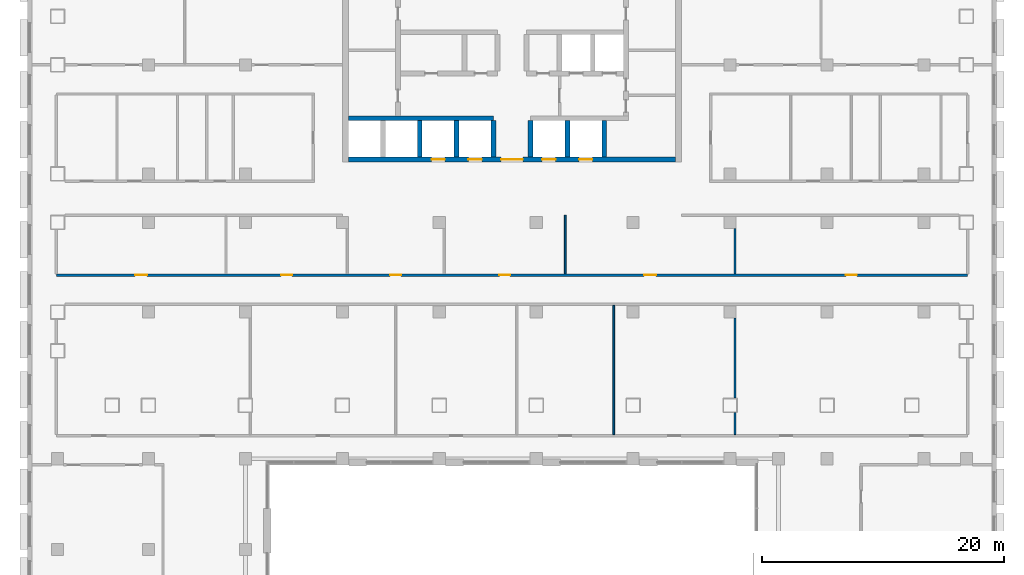
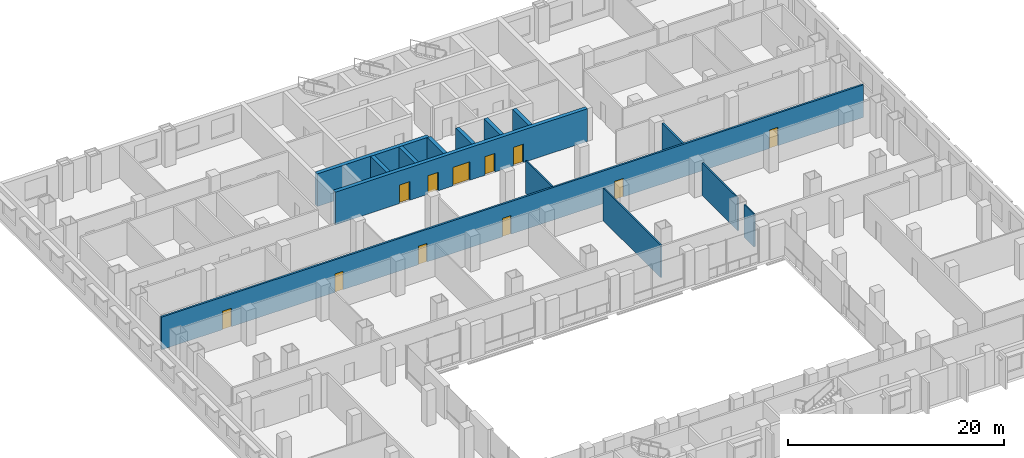
# One storey, part 13 of 25: 14 walls, 11 doors, 11 openings.
"""IFC4 building model written with IfcOpenShell, lengths in metres."""

from ifc_helpers import new_model, si_unit, direction, frame, frame_2d, origin, place, context, subcontext, project, spatial, rectangle, extrude, material, layer, layer_set, type_object, element, fill, save


model = new_model("IFC4")

# Units and contexts
model_context = context("Model", 3, precision=1e-05, world=origin(), true_north=direction((0.0, 1.0)))
body_context = subcontext(model_context, "Body", "Model", "MODEL_VIEW")
ifc_project = project(units=[si_unit("LENGTHUNIT", "METRE"), si_unit("AREAUNIT", "SQUARE_METRE"), si_unit("VOLUMEUNIT", "CUBIC_METRE"), si_unit("PLANEANGLEUNIT", "RADIAN"), si_unit("MASSUNIT", "GRAM", prefix="KILO")], contexts=[model_context])

# Site, building, storey
site_placement = place(None, origin())
site = spatial("IfcSite", under=ifc_project, at=site_placement, CompositionType="ELEMENT")
building_placement = place(site_placement, origin())
building = spatial("IfcBuilding", under=site, at=building_placement, Name="Vidyagriha Tower", CompositionType="ELEMENT")
storey_placement = place(building_placement, frame((0.0, 0.0, 10.0)))
storey = spatial("IfcBuildingStorey", under=building, at=storey_placement, Name="L02", CompositionType="ELEMENT", Elevation=10.0)

# Wall, openings, doors
ifc_material_1 = material(Name="Concrete C60/75", Category="concrete")
ifc_layer_1 = layer(ifc_material_1, 0.39990234375)
ifc_layer_set_1 = layer_set([ifc_layer_1], Name="Concrete C60/75")
wall_type_1 = type_object("IfcWallType", Name="Core shear wall 400 mm", PredefinedType="SHEAR", material=ifc_layer_set_1)
wall_1_placement = place(storey_placement, frame((-13.5, 3.199951171875, 0.0)))
wall_1 = element("IfcWall", 1, at=wall_1_placement, inside=storey, type_object=wall_type_1, Name="Core front wall", PredefinedType="SHEAR", context=body_context, shape_type="SweptSolid", body=[
    extrude(rectangle(XDim=27.0, YDim=0.39990234375, at=frame_2d((13.5, 0.0))), origin(), (0.0, 0.0, 1.0), 3.699951171875),
])
opening_1_placement = place(wall_1_placement, frame((6.861083984375, 0.0, 0.0)))
opening_1 = element("IfcOpeningElement", 2, at=opening_1_placement, cuts=wall_1, Name="Opening LD02-01", PredefinedType="OPENING", context=body_context, shape_type="SweptSolid", body=[
    extrude(rectangle(XDim=1.10009765625, YDim=2.10009765625, at=frame_2d((0.550048828125, 1.050048828125))), frame((0.0, 0.2099609375, 0.0), z_axis=(0.0, -1.0, 0.0), x_axis=(1.0, 0.0, 0.0)), (0.0, 0.0, 1.0), 0.419921875),
])
opening_2_placement = place(wall_1_placement, frame((9.905517578125, 0.0, 0.0)))
opening_2 = element("IfcOpeningElement", 3, at=opening_2_placement, cuts=wall_1, Name="Opening LD02-02", PredefinedType="OPENING", context=body_context, shape_type="SweptSolid", body=[
    extrude(rectangle(XDim=1.10009765625, YDim=2.10009765625, at=frame_2d((0.550048828125, 1.050048828125))), frame((0.0, 0.2099609375, 0.0), z_axis=(0.0, -1.0, 0.0), x_axis=(1.0, 0.0, 0.0)), (0.0, 0.0, 1.0), 0.419921875),
])
opening_3_placement = place(wall_1_placement, frame((15.994384765625, 0.0, 0.0)))
opening_3 = element("IfcOpeningElement", 4, at=opening_3_placement, cuts=wall_1, Name="Opening LD02-03", PredefinedType="OPENING", context=body_context, shape_type="SweptSolid", body=[
    extrude(rectangle(XDim=1.10009765625, YDim=2.10009765625, at=frame_2d((0.550048828125, 1.050048828125))), frame((0.0, 0.2099609375, 0.0), z_axis=(0.0, -1.0, 0.0), x_axis=(1.0, 0.0, 0.0)), (0.0, 0.0, 1.0), 0.419921875),
])
opening_4_placement = place(wall_1_placement, frame((19.038818359375, 0.0, 0.0)))
opening_4 = element("IfcOpeningElement", 5, at=opening_4_placement, cuts=wall_1, Name="Opening LD02-04", PredefinedType="OPENING", context=body_context, shape_type="SweptSolid", body=[
    extrude(rectangle(XDim=1.10009765625, YDim=2.10009765625, at=frame_2d((0.550048828125, 1.050048828125))), frame((0.0, 0.2099609375, 0.0), z_axis=(0.0, -1.0, 0.0), x_axis=(1.0, 0.0, 0.0)), (0.0, 0.0, 1.0), 0.419921875),
])
opening_5_placement = place(wall_1_placement, frame((12.60009765625, 0.0, 0.0)))
opening_5 = element("IfcOpeningElement", 6, at=opening_5_placement, cuts=wall_1, Name="Opening D02-01", PredefinedType="OPENING", context=body_context, shape_type="SweptSolid", body=[
    extrude(rectangle(XDim=1.800048828125, YDim=2.10009765625, at=frame_2d((0.89990234375, 1.050048828125))), frame((0.0, 0.2099609375, 0.0), z_axis=(0.0, -1.0, 0.0), x_axis=(1.0, 0.0, 0.0)), (0.0, 0.0, 1.0), 0.419921875),
])
ifc_material_2 = material(Name="Hollow metal door leaf")
door_type_1 = type_object("IfcDoorType", Name="Core lobby double door 1800 x 2100 mm EI 60", OperationType="NOTDEFINED", PredefinedType="DOOR", material=ifc_material_2)
door_1_placement = place(opening_5_placement, frame((1.800048828125, 0.0, 0.0), z_axis=(0.0, 0.0, 1.0), x_axis=(-1.0, 0.0, 0.0)))
door_1 = element("IfcDoor", 7, at=door_1_placement, inside=storey, type_object=door_type_1, Name="Core entrance door L02", OperationType="DOUBLE_DOOR_SINGLE_SWING", OverallHeight=2.10009765625, OverallWidth=1.800048828125, PredefinedType="DOOR", context=body_context, shape_type="SweptSolid", body=[
    extrude(rectangle(XDim=1.800048828125, YDim=2.10009765625, at=frame_2d((0.89990234375, 1.050048828125))), frame((0.0, 0.02490234375, 0.0), z_axis=(0.0, -1.0, 0.0), x_axis=(1.0, 0.0, 0.0)), (0.0, 0.0, 1.0), 0.050048828125),
])
fill(opening_5, door_1)
ifc_material_3 = material(Name="Stainless steel sliding door panel", Category="steel")
door_type_2 = type_object("IfcDoorType", Name="Lift landing door 1100 x 2100 mm EI 90", OperationType="NOTDEFINED", PredefinedType="DOOR", material=ifc_material_3)
door_2_placement = place(opening_1_placement, origin())
door_2 = element("IfcDoor", 8, at=door_2_placement, inside=storey, type_object=door_type_2, Name="Landing door LR1 L02", OperationType="SLIDING_TO_LEFT", OverallHeight=2.10009765625, OverallWidth=1.10009765625, PredefinedType="DOOR", context=body_context, shape_type="SweptSolid", body=[
    extrude(rectangle(XDim=1.10009765625, YDim=2.10009765625, at=frame_2d((0.550048828125, 1.050048828125))), frame((0.0, 0.02490234375, 0.0), z_axis=(0.0, -1.0, 0.0), x_axis=(1.0, 0.0, 0.0)), (0.0, 0.0, 1.0), 0.050048828125),
])
fill(opening_1, door_2)
door_3_placement = place(opening_2_placement, origin())
door_3 = element("IfcDoor", 9, at=door_3_placement, inside=storey, type_object=door_type_2, Name="Landing door LR2 L02", OperationType="SLIDING_TO_LEFT", OverallHeight=2.10009765625, OverallWidth=1.10009765625, PredefinedType="DOOR", context=body_context, shape_type="SweptSolid", body=[
    extrude(rectangle(XDim=1.10009765625, YDim=2.10009765625, at=frame_2d((0.550048828125, 1.050048828125))), frame((0.0, 0.02490234375, 0.0), z_axis=(0.0, -1.0, 0.0), x_axis=(1.0, 0.0, 0.0)), (0.0, 0.0, 1.0), 0.050048828125),
])
fill(opening_2, door_3)
door_4_placement = place(opening_3_placement, origin())
door_4 = element("IfcDoor", 10, at=door_4_placement, inside=storey, type_object=door_type_2, Name="Landing door LR3 L02", OperationType="SLIDING_TO_LEFT", OverallHeight=2.10009765625, OverallWidth=1.10009765625, PredefinedType="DOOR", context=body_context, shape_type="SweptSolid", body=[
    extrude(rectangle(XDim=1.10009765625, YDim=2.10009765625, at=frame_2d((0.550048828125, 1.050048828125))), frame((0.0, 0.02490234375, 0.0), z_axis=(0.0, -1.0, 0.0), x_axis=(1.0, 0.0, 0.0)), (0.0, 0.0, 1.0), 0.050048828125),
])
fill(opening_3, door_4)
door_5_placement = place(opening_4_placement, origin())
door_5 = element("IfcDoor", 11, at=door_5_placement, inside=storey, type_object=door_type_2, Name="Landing door LR4 L02", OperationType="SLIDING_TO_LEFT", OverallHeight=2.10009765625, OverallWidth=1.10009765625, PredefinedType="DOOR", context=body_context, shape_type="SweptSolid", body=[
    extrude(rectangle(XDim=1.10009765625, YDim=2.10009765625, at=frame_2d((0.550048828125, 1.050048828125))), frame((0.0, 0.02490234375, 0.0), z_axis=(0.0, -1.0, 0.0), x_axis=(1.0, 0.0, 0.0)), (0.0, 0.0, 1.0), 0.050048828125),
])
fill(opening_4, door_5)

# Walls
wall_2_placement = place(storey_placement, frame((-13.5, 6.60009765625, 0.0)))
element("IfcWall", 12, at=wall_2_placement, inside=storey, type_object=wall_type_1, Name="Core lobby south wall west", PredefinedType="SHEAR", context=body_context, shape_type="SweptSolid", body=[
    extrude(rectangle(XDim=11.977783203125, YDim=0.39990234375, at=frame_2d((5.98876953125, 0.0))), origin(), (0.0, 0.0, 1.0), 3.699951171875),
])
for number, where, z_axis, x_axis, name in (
    (13, (-7.611083984375, 3.39990234375, 0.0), (0.0, 0.0, 1.0), (0.0, 1.0, 0.0), "Core bay wall S2"),
    (14, (-4.566650390625, 3.39990234375, 0.0), (0.0, 0.0, 1.0), (0.0, 1.0, 0.0), "Core bay wall S3"),
    (15, (-1.522216796875, 3.39990234375, 0.0), (0.0, 0.0, 1.0), (0.0, 1.0, 0.0), "Core bay wall S4"),
    (16, (1.522216796875, 3.39990234375, 0.0), (0.0, 0.0, 1.0), (0.0, 1.0, 0.0), "Core bay wall S5"),
    (17, (4.566650390625, 3.39990234375, 0.0), (0.0, 0.0, 1.0), (0.0, 1.0, 0.0), "Core bay wall S6"),
    (18, (7.611083984375, 3.39990234375, 0.0), (0.0, 0.0, 1.0), (0.0, 1.0, 0.0), "Core bay wall S7"),
):
    element("IfcWall", number, at=place(storey_placement, frame(where, z_axis=z_axis, x_axis=x_axis)), inside=storey, type_object=wall_type_1, Name=name, PredefinedType="SHEAR", context=body_context, shape_type="SweptSolid", body=[
        extrude(rectangle(XDim=3.0, YDim=0.39990234375, at=frame_2d((1.5, 0.0))), origin(), (0.0, 0.0, 1.0), 3.699951171875),
    ])

# Wall, openings, doors
ifc_material_4 = material(Name="Fire rated gypsum board on light gauge framing")
ifc_layer_2 = layer(ifc_material_4, 0.199951171875)
ifc_layer_set_2 = layer_set([ifc_layer_2], Name="Fire rated gypsum board on light gauge framing")
wall_type_2 = type_object("IfcWallType", Name="Fire Rated Corridor Wall 200", PredefinedType="PARTITIONING", material=ifc_layer_set_2)
wall_3_placement = place(storey_placement, frame((-37.599853515625, -6.35009765625, 0.0)))
wall_3 = element("IfcWall", 19, at=wall_3_placement, inside=storey, type_object=wall_type_2, Name="L02 Fire Rated Corridor Wall 200 023", PredefinedType="PARTITIONING", context=body_context, shape_type="SweptSolid", body=[
    extrude(rectangle(XDim=75.19970703125, YDim=0.199951171875, at=frame_2d((37.599853515625, 0.0))), origin(), (0.0, 0.0, 1.0), 3.699951171875),
])
opening_6_placement = place(wall_3_placement, frame((6.5, 0.0, 0.0)))
opening_6 = element("IfcOpeningElement", 20, at=opening_6_placement, cuts=wall_3, Name="Opening D02-35", PredefinedType="OPENING", context=body_context, shape_type="SweptSolid", body=[
    extrude(rectangle(XDim=1.0, YDim=2.10009765625, at=frame_2d((0.5, 1.050048828125))), frame((0.0, 0.10986328125, 0.0), z_axis=(0.0, -1.0, 0.0), x_axis=(1.0, 0.0, 0.0)), (0.0, 0.0, 1.0), 0.219970703125),
])
opening_7_placement = place(wall_3_placement, frame((18.5498046875, 0.0, 0.0)))
opening_7 = element("IfcOpeningElement", 21, at=opening_7_placement, cuts=wall_3, Name="Opening D02-36", PredefinedType="OPENING", context=body_context, shape_type="SweptSolid", body=[
    extrude(rectangle(XDim=0.89990234375, YDim=2.10009765625, at=frame_2d((0.449951171875, 1.050048828125))), frame((0.0, 0.10986328125, 0.0), z_axis=(0.0, -1.0, 0.0), x_axis=(1.0, 0.0, 0.0)), (0.0, 0.0, 1.0), 0.219970703125),
])
opening_8_placement = place(wall_3_placement, frame((27.5498046875, 0.0, 0.0)))
opening_8 = element("IfcOpeningElement", 22, at=opening_8_placement, cuts=wall_3, Name="Opening D02-37", PredefinedType="OPENING", context=body_context, shape_type="SweptSolid", body=[
    extrude(rectangle(XDim=0.89990234375, YDim=2.10009765625, at=frame_2d((0.449951171875, 1.050048828125))), frame((0.0, 0.10986328125, 0.0), z_axis=(0.0, -1.0, 0.0), x_axis=(1.0, 0.0, 0.0)), (0.0, 0.0, 1.0), 0.219970703125),
])
opening_9_placement = place(wall_3_placement, frame((36.5498046875, 0.0, 0.0)))
opening_9 = element("IfcOpeningElement", 23, at=opening_9_placement, cuts=wall_3, Name="Opening D02-38", PredefinedType="OPENING", context=body_context, shape_type="SweptSolid", body=[
    extrude(rectangle(XDim=0.89990234375, YDim=2.10009765625, at=frame_2d((0.449951171875, 1.050048828125))), frame((0.0, 0.10986328125, 0.0), z_axis=(0.0, -1.0, 0.0), x_axis=(1.0, 0.0, 0.0)), (0.0, 0.0, 1.0), 0.219970703125),
])
opening_10_placement = place(wall_3_placement, frame((48.5, 0.0, 0.0)))
opening_10 = element("IfcOpeningElement", 24, at=opening_10_placement, cuts=wall_3, Name="Opening D02-39", PredefinedType="OPENING", context=body_context, shape_type="SweptSolid", body=[
    extrude(rectangle(XDim=1.0, YDim=2.10009765625, at=frame_2d((0.5, 1.050048828125))), frame((0.0, 0.10986328125, 0.0), z_axis=(0.0, -1.0, 0.0), x_axis=(1.0, 0.0, 0.0)), (0.0, 0.0, 1.0), 0.219970703125),
])
opening_11_placement = place(wall_3_placement, frame((65.14990234375, 0.0, 0.0)))
opening_11 = element("IfcOpeningElement", 25, at=opening_11_placement, cuts=wall_3, Name="Opening D02-40", PredefinedType="OPENING", context=body_context, shape_type="SweptSolid", body=[
    extrude(rectangle(XDim=0.89990234375, YDim=2.10009765625, at=frame_2d((0.449951171875, 1.050048828125))), frame((0.0, 0.10986328125, 0.0), z_axis=(0.0, -1.0, 0.0), x_axis=(1.0, 0.0, 0.0)), (0.0, 0.0, 1.0), 0.219970703125),
])
ifc_material_5 = material(Name="Steel fire door set", Category="steel")
door_type_3 = type_object("IfcDoorType", Name="Podium Door 1000x2100 EI 30", OperationType="NOTDEFINED", PredefinedType="DOOR", material=ifc_material_5)
door_6_placement = place(opening_6_placement, origin())
door_6 = element("IfcDoor", 26, at=door_6_placement, inside=storey, type_object=door_type_3, Name="L02 door D02-35", OperationType="SINGLE_SWING_LEFT", OverallHeight=2.10009765625, OverallWidth=1.0, PredefinedType="DOOR", context=body_context, shape_type="SweptSolid", body=[
    extrude(rectangle(XDim=1.0, YDim=2.10009765625, at=frame_2d((0.5, 1.050048828125))), frame((0.0, 0.02490234375, 0.0), z_axis=(0.0, -1.0, 0.0), x_axis=(1.0, 0.0, 0.0)), (0.0, 0.0, 1.0), 0.050048828125),
])
fill(opening_6, door_6)
door_7_placement = place(opening_10_placement, origin())
door_7 = element("IfcDoor", 27, at=door_7_placement, inside=storey, type_object=door_type_3, Name="L02 door D02-39", OperationType="SINGLE_SWING_RIGHT", OverallHeight=2.10009765625, OverallWidth=1.0, PredefinedType="DOOR", context=body_context, shape_type="SweptSolid", body=[
    extrude(rectangle(XDim=1.0, YDim=2.10009765625, at=frame_2d((0.5, 1.050048828125))), frame((0.0, 0.02490234375, 0.0), z_axis=(0.0, -1.0, 0.0), x_axis=(1.0, 0.0, 0.0)), (0.0, 0.0, 1.0), 0.050048828125),
])
fill(opening_10, door_7)
ifc_material_6 = material(Name="Steel fire door set", Category="steel")
door_type_4 = type_object("IfcDoorType", Name="Podium Door 900x2100 EI 30", OperationType="NOTDEFINED", PredefinedType="DOOR", material=ifc_material_6)
door_8_placement = place(opening_7_placement, origin())
door_8 = element("IfcDoor", 28, at=door_8_placement, inside=storey, type_object=door_type_4, Name="L02 door D02-36", OperationType="SINGLE_SWING_LEFT", OverallHeight=2.10009765625, OverallWidth=0.89990234375, PredefinedType="DOOR", context=body_context, shape_type="SweptSolid", body=[
    extrude(rectangle(XDim=0.89990234375, YDim=2.10009765625, at=frame_2d((0.449951171875, 1.050048828125))), frame((0.0, 0.02490234375, 0.0), z_axis=(0.0, -1.0, 0.0), x_axis=(1.0, 0.0, 0.0)), (0.0, 0.0, 1.0), 0.050048828125),
])
fill(opening_7, door_8)
door_9_placement = place(opening_8_placement, origin())
door_9 = element("IfcDoor", 29, at=door_9_placement, inside=storey, type_object=door_type_4, Name="L02 door D02-37", OperationType="SINGLE_SWING_LEFT", OverallHeight=2.10009765625, OverallWidth=0.89990234375, PredefinedType="DOOR", context=body_context, shape_type="SweptSolid", body=[
    extrude(rectangle(XDim=0.89990234375, YDim=2.10009765625, at=frame_2d((0.449951171875, 1.050048828125))), frame((0.0, 0.02490234375, 0.0), z_axis=(0.0, -1.0, 0.0), x_axis=(1.0, 0.0, 0.0)), (0.0, 0.0, 1.0), 0.050048828125),
])
fill(opening_8, door_9)
door_10_placement = place(opening_9_placement, origin())
door_10 = element("IfcDoor", 30, at=door_10_placement, inside=storey, type_object=door_type_4, Name="L02 door D02-38", OperationType="SINGLE_SWING_LEFT", OverallHeight=2.10009765625, OverallWidth=0.89990234375, PredefinedType="DOOR", context=body_context, shape_type="SweptSolid", body=[
    extrude(rectangle(XDim=0.89990234375, YDim=2.10009765625, at=frame_2d((0.449951171875, 1.050048828125))), frame((0.0, 0.02490234375, 0.0), z_axis=(0.0, -1.0, 0.0), x_axis=(1.0, 0.0, 0.0)), (0.0, 0.0, 1.0), 0.050048828125),
])
fill(opening_9, door_10)
door_11_placement = place(opening_11_placement, origin())
door_11 = element("IfcDoor", 31, at=door_11_placement, inside=storey, type_object=door_type_4, Name="L02 door D02-40", OperationType="SINGLE_SWING_RIGHT", OverallHeight=2.10009765625, OverallWidth=0.89990234375, PredefinedType="DOOR", context=body_context, shape_type="SweptSolid", body=[
    extrude(rectangle(XDim=0.89990234375, YDim=2.10009765625, at=frame_2d((0.449951171875, 1.050048828125))), frame((0.0, 0.02490234375, 0.0), z_axis=(0.0, -1.0, 0.0), x_axis=(1.0, 0.0, 0.0)), (0.0, 0.0, 1.0), 0.050048828125),
])
fill(opening_11, door_11)

# Walls
wall_4_placement = place(storey_placement, frame((18.39990234375, -6.25, 0.0), z_axis=(0.0, 0.0, 1.0), x_axis=(0.0, 1.0, 0.0)))
element("IfcWall", 32, at=wall_4_placement, inside=storey, type_object=wall_type_2, Name="L02 Fire Rated Corridor Wall 200 066", PredefinedType="PARTITIONING", context=body_context, shape_type="SweptSolid", body=[
    extrude(rectangle(XDim=3.75, YDim=0.199951171875, at=frame_2d((1.875, 0.0))), origin(), (0.0, 0.0, 1.0), 3.699951171875),
])
ifc_material_7 = material(Name="Gypsum board on light gauge framing")
ifc_layer_3 = layer(ifc_material_7, 0.14990234375)
ifc_layer_set_3 = layer_set([ifc_layer_3], Name="Gypsum board on light gauge framing")
wall_type_3 = type_object("IfcWallType", Name="Gypsum Board Partition 150", PredefinedType="PARTITIONING", material=ifc_layer_set_3)
wall_5_placement = place(storey_placement, frame((4.39990234375, -6.25, 0.0), z_axis=(0.0, 0.0, 1.0), x_axis=(0.0, 1.0, 0.0)))
element("IfcWall", 33, at=wall_5_placement, inside=storey, type_object=wall_type_3, Name="L02 Gypsum Board Partition 150 062", PredefinedType="PARTITIONING", context=body_context, shape_type="SweptSolid", body=[
    extrude(rectangle(XDim=4.849853515625, YDim=0.14990234375, at=frame_2d((2.4248046875, 0.0))), origin(), (0.0, 0.0, 1.0), 3.699951171875),
])
wall_6_placement = place(storey_placement, frame((8.39990234375, -19.5, 0.0), z_axis=(0.0, 0.0, 1.0), x_axis=(0.0, 1.0, 0.0)))
element("IfcWall", 34, at=wall_6_placement, inside=storey, type_object=wall_type_3, Name="L02 Gypsum Board Partition 150 063", PredefinedType="PARTITIONING", context=body_context, shape_type="SweptSolid", body=[
    extrude(rectangle(XDim=10.64990234375, YDim=0.14990234375, at=frame_2d((5.324951171875, 0.0))), origin(), (0.0, 0.0, 1.0), 3.699951171875),
])
wall_7_placement = place(storey_placement, frame((18.39990234375, -19.5, 0.0), z_axis=(0.0, 0.0, 1.0), x_axis=(0.0, 1.0, 0.0)))
element("IfcWall", 35, at=wall_7_placement, inside=storey, type_object=wall_type_3, Name="L02 Gypsum Board Partition 150 067", PredefinedType="PARTITIONING", context=body_context, shape_type="SweptSolid", body=[
    extrude(rectangle(XDim=1.800048828125, YDim=0.14990234375, at=frame_2d((0.89990234375, 0.0))), origin(), (0.0, 0.0, 1.0), 3.699951171875),
])
wall_8_placement = place(storey_placement, frame((18.39990234375, -16.5, 0.0), z_axis=(0.0, 0.0, 1.0), x_axis=(0.0, 1.0, 0.0)))
element("IfcWall", 36, at=wall_8_placement, inside=storey, type_object=wall_type_3, Name="L02 Gypsum Board Partition 150 068", PredefinedType="PARTITIONING", context=body_context, shape_type="SweptSolid", body=[
    extrude(rectangle(XDim=6.60009765625, YDim=0.14990234375, at=frame_2d((3.300048828125, 0.0))), origin(), (0.0, 0.0, 1.0), 3.699951171875),
])

save(model, "model.ifc")
